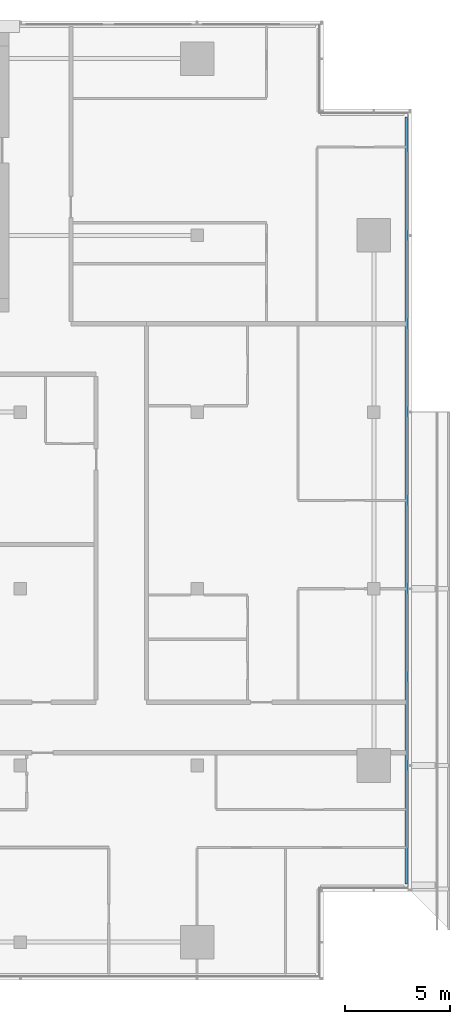
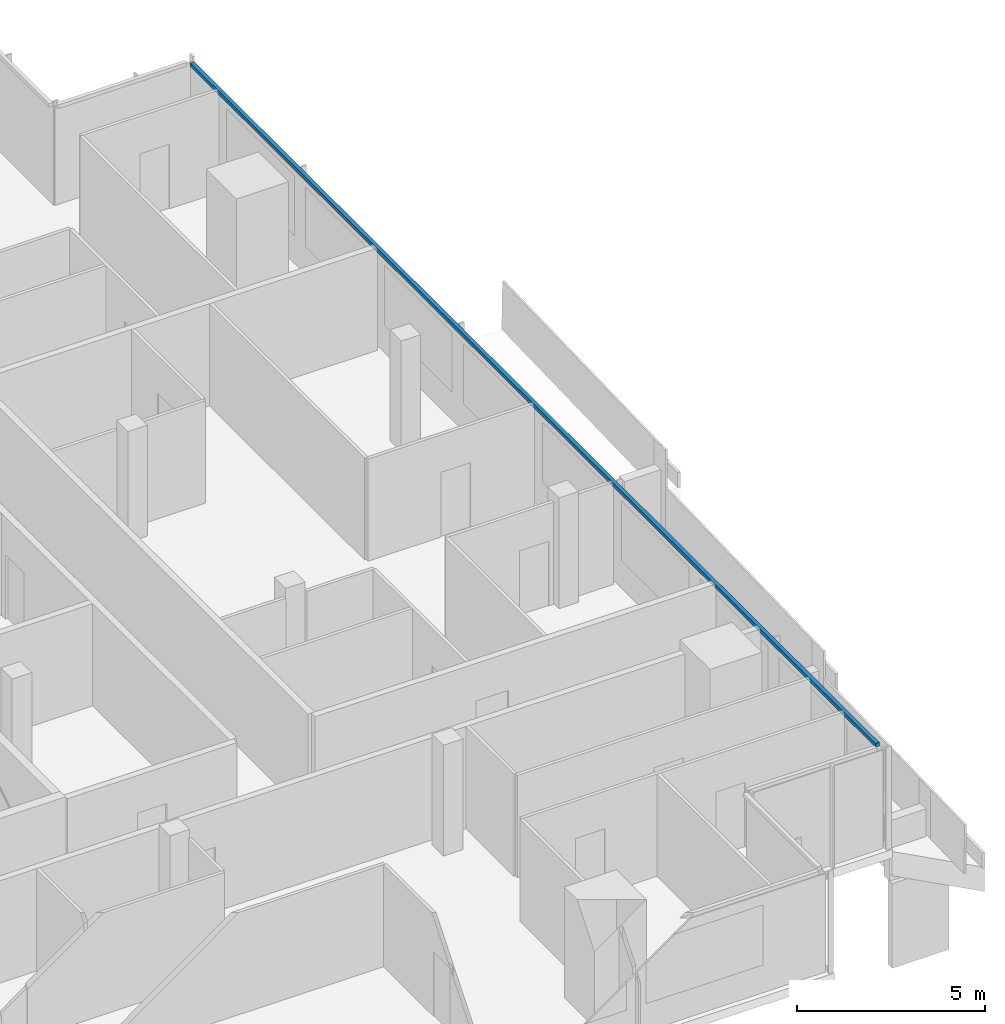
# One storey, part 12 of 28: 1 member, 1 element without a shape of its own.
"""IFC4 building model written with IfcOpenShell, lengths in metres."""

from ifc_helpers import new_model, si_unit, direction, frame, origin, origin_2d, place, context, subcontext, project, spatial, rectangle, extrude, material, material_profile, profile_set, type_object, element, aggregate, save


model = new_model("IFC4")

# Units and contexts
model_context = context("Model", 3, precision=1e-05, world=origin(), true_north=direction((0.0, 1.0)))
body_context = subcontext(model_context, "Body", "Model", "MODEL_VIEW")
ifc_project = project(units=[si_unit("LENGTHUNIT", "METRE"), si_unit("AREAUNIT", "SQUARE_METRE"), si_unit("VOLUMEUNIT", "CUBIC_METRE"), si_unit("PLANEANGLEUNIT", "RADIAN"), si_unit("MASSUNIT", "GRAM", prefix="KILO")], contexts=[model_context])

# Site, building, storey
site_placement = place(None, origin())
site = spatial("IfcSite", under=ifc_project, at=site_placement, CompositionType="ELEMENT")
building_placement = place(site_placement, origin())
building = spatial("IfcBuilding", under=site, at=building_placement, Name="Saffron Gate Tower", CompositionType="ELEMENT")
storey_placement = place(building_placement, frame((0.0, 0.0, 241.5)))
storey = spatial("IfcBuildingStorey", under=building, at=storey_placement, Name="L59", CompositionType="ELEMENT", Elevation=241.5)

# Curtain wall, member
ifc_material = material(Name="Aluminium, bronze anodised", Category="aluminium")
curtain_wall_type = type_object("IfcCurtainWallType", Name="CWS2 curtain wall side facades", PredefinedType="NOTDEFINED", material=ifc_material)
curtain_wall_placement = place(storey_placement, origin())
curtain_wall = element("IfcCurtainWall", 1, at=curtain_wall_placement, inside=storey, type_object=curtain_wall_type, Name="CWS2 run 4", PredefinedType="NOTDEFINED")
ifc_material_profile = material_profile(ifc_material, rectangle(XDim=0.1201171875, YDim=0.1201171875, at=origin_2d()))
ifc_profile_set = profile_set([ifc_material_profile], Name="Aluminium, bronze anodised")
member_type = type_object("IfcMemberType", Name="CWS2 head transom", PredefinedType="USERDEFINED", material=ifc_profile_set)
member_placement = place(storey_placement, frame((126.951904296875, 34.568115234375, 3.260009765625), z_axis=(0.0, 1.0, 0.0), x_axis=(-1.0, 0.0, 0.0)))
member = element("IfcMember", 2, at=member_placement, type_object=member_type, Name="CWS2 head transom", ObjectType="TRANSOM", PredefinedType="USERDEFINED", context=body_context, shape_type="SweptSolid", body=[
    extrude(rectangle(XDim=0.1201171875, YDim=0.1201171875, at=origin_2d()), origin(), (0.0, 0.0, 1.0), 36.4638671875),
])
aggregate(curtain_wall, [member])

save(model, "model.ifc")
